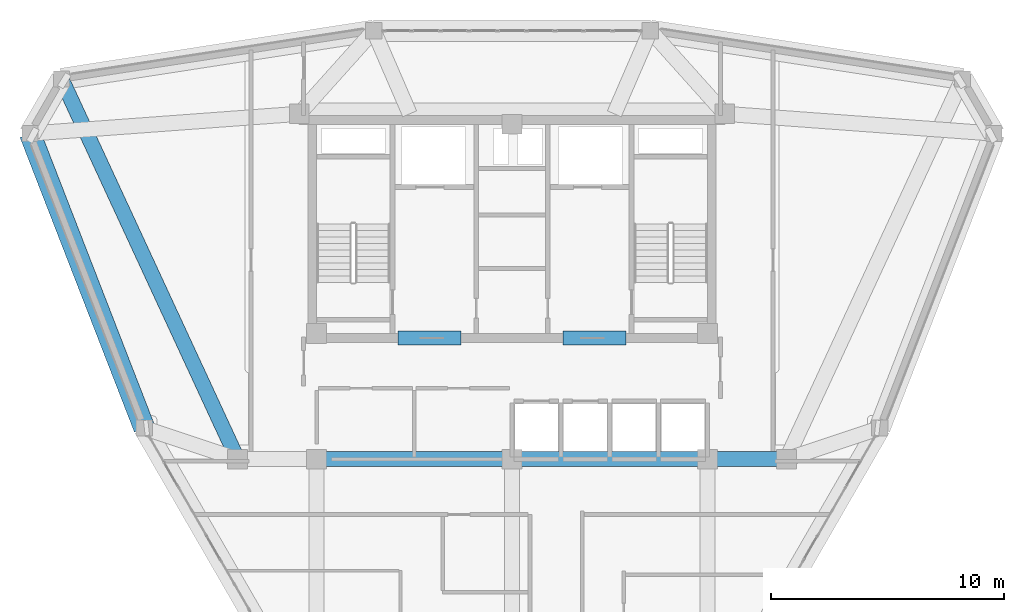
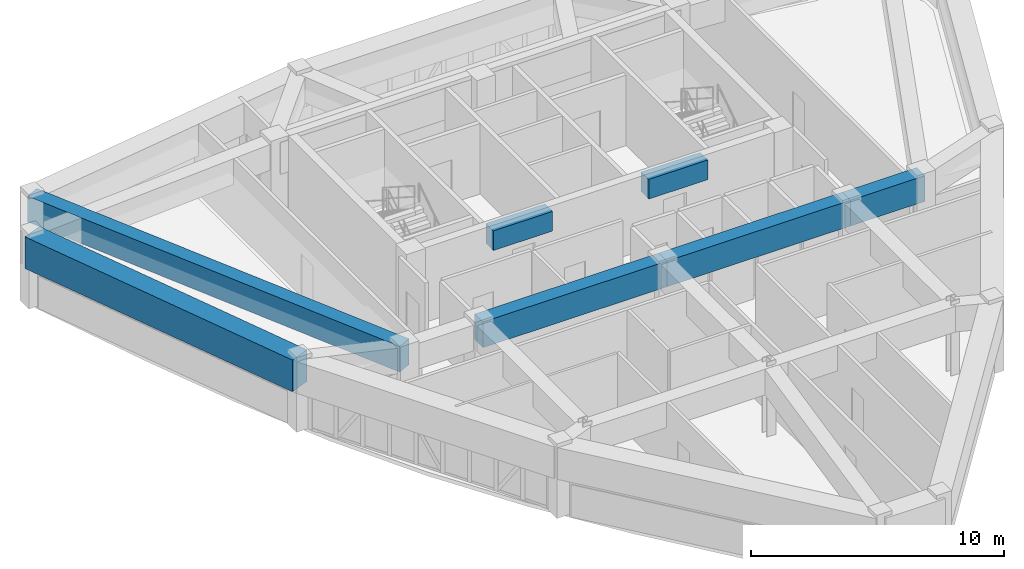
# One storey, part 6 of 16: 7 beams.
"""IFC4 building model written with IfcOpenShell, lengths in metres."""

import ifcopenshell
import ifcopenshell.guid

model = None  # the IFC model being written
_history = None  # IfcOwnerHistory: only IFC2X3 demands one
_inside = {}  # id of a spatial element -> (the spatial element, [elements in it])
_under = {}  # id of a project, library or spatial element -> (it, [spatial elements below it])
_declared = {}  # id of a project -> (the project, [libraries it declares])
_typed = {}  # id of a type object -> (the type object, [elements of that type])
_made_of = {}  # id of a material, layer set ... -> (it, [elements and type objects made of it])


def new_model(schema):
    """Start an empty IFC model of exactly this schema.

    Asked for "IFC4X3", IfcOpenShell would pick the latest addendum, in which some entities
    have other attributes; the version numbers below select the first issue.
    IFC2X3 requires an IfcOwnerHistory on every rooted entity: one is made here for all.
    """
    global model, _history
    if schema == "IFC4X3":
        model = ifcopenshell.file(schema_version=(4, 3, 0, 0))
    else:
        model = ifcopenshell.file(schema=schema)
    _inside.clear()
    _under.clear()
    _declared.clear()
    _typed.clear()
    _made_of.clear()
    _history = None
    if model.schema == "IFC2X3":
        org = make("IfcOrganization", Name="unknown")
        user = make(
            "IfcPersonAndOrganization",
            ThePerson=make("IfcPerson", FamilyName="unknown"),
            TheOrganization=org,
        )
        app = make(
            "IfcApplication",
            ApplicationDeveloper=org,
            Version="unknown",
            ApplicationFullName="unknown",
            ApplicationIdentifier="unknown",
        )
        _history = make(
            "IfcOwnerHistory",
            OwningUser=user,
            OwningApplication=app,
            ChangeAction="ADDED",
            CreationDate=0,
        )
    return model


def make(cls, **values):
    """One entity of the class cls with the attributes given. An attribute that is None is left unset."""
    return model.create_entity(
        cls, **{name: value for name, value in values.items() if value is not None}
    )


def rooted(cls, **values):
    """An entity with a GlobalId (a new one), such as an element, a storey or a relation."""
    return make(cls, GlobalId=ifcopenshell.guid.new(), OwnerHistory=_history, **values)


def si_unit(unit_type, name, prefix=None):
    """IfcSIUnit, for example si_unit("LENGTHUNIT", "METRE", prefix="MILLI")."""
    return make("IfcSIUnit", UnitType=unit_type, Prefix=prefix, Name=name)


def derived_unit(unit_type, elements):
    """IfcDerivedUnit: a product of units, each with its exponent."""
    return make(
        "IfcDerivedUnit",
        Elements=[
            make("IfcDerivedUnitElement", Unit=unit, Exponent=power)
            for unit, power in elements
        ],
        UnitType=unit_type,
    )


def assignment(units):
    """IfcUnitAssignment: the units of a project."""
    return None if units is None else make("IfcUnitAssignment", Units=units)


def point(xyz):
    """IfcCartesianPoint."""
    return None if xyz is None else make("IfcCartesianPoint", Coordinates=xyz)


def direction(xyz):
    """IfcDirection."""
    return None if xyz is None else make("IfcDirection", DirectionRatios=xyz)


def frame(location, z_axis=None, x_axis=None):
    """IfcAxis2Placement3D, a coordinate frame: its origin and axes. An axis left out is left unset."""
    return make(
        "IfcAxis2Placement3D",
        Location=point(location),
        Axis=direction(z_axis),
        RefDirection=direction(x_axis),
    )


def frame_2d(location, x_axis=None):
    """IfcAxis2Placement2D, a coordinate frame in the plane: its origin and x axis."""
    return make(
        "IfcAxis2Placement2D", Location=point(location), RefDirection=direction(x_axis)
    )


def origin():
    """The frame at (0, 0, 0) with its axes left unset."""
    return frame((0.0, 0.0, 0.0))


def origin_2d():
    """The frame at (0, 0) in the plane with its x axis left unset."""
    return frame_2d((0.0, 0.0))


def place(relative_to, where):
    """IfcLocalPlacement: puts the frame where relative to a parent placement (None: the world)."""
    return make(
        "IfcLocalPlacement", PlacementRelTo=relative_to, RelativePlacement=where
    )


def context(
    kind, dimensions, precision=None, world=None, true_north=None, identifier=None
):
    """IfcGeometricRepresentationContext, for example the 3D "Model" context."""
    return make(
        "IfcGeometricRepresentationContext",
        ContextIdentifier=identifier,
        ContextType=kind,
        CoordinateSpaceDimension=dimensions,
        Precision=precision,
        WorldCoordinateSystem=world,
        TrueNorth=true_north,
    )


def subcontext(parent, identifier, kind, view, scale=None):
    """IfcGeometricRepresentationSubContext, for example "Body" below "Model"."""
    return make(
        "IfcGeometricRepresentationSubContext",
        ContextIdentifier=identifier,
        ContextType=kind,
        ParentContext=parent,
        TargetScale=scale,
        TargetView=view,
    )


def project(units=None, contexts=None):
    """IfcProject with its units and contexts."""
    return rooted(
        "IfcProject",
        Name="project",
        RepresentationContexts=contexts,
        UnitsInContext=assignment(units),
    )


def spatial(cls, under=None, at=None, **own):
    """A site, building, storey or space (cls), placed at a placement, below another one or the project."""
    s = rooted(cls, ObjectPlacement=at, **own)
    if under is not None:
        _under.setdefault(under.id(), (under, []))[1].append(s)
    return s


def profile(cls, at=None, kind="AREA", **sizes):
    """A parametric profile (cls). Its sizes go by their IFC names, for example OverallWidth=200.0."""
    return make(cls, ProfileType=kind, Position=at, **sizes)


def rectangle(**sizes):
    """IfcRectangleProfileDef."""
    return profile("IfcRectangleProfileDef", **sizes)


def extrude(swept, where, along, depth):
    """IfcExtrudedAreaSolid: the profile swept, set in the frame where, extruded along a direction by depth."""
    return make(
        "IfcExtrudedAreaSolid",
        SweptArea=swept,
        Position=where,
        ExtrudedDirection=direction(along),
        Depth=depth,
    )


def shape(context_of_items, identifier, shape_type, items):
    """IfcShapeRepresentation: the items that make up one representation, for example the "Body"."""
    return make(
        "IfcShapeRepresentation",
        ContextOfItems=context_of_items,
        RepresentationIdentifier=identifier,
        RepresentationType=shape_type,
        Items=items,
    )


def source(mapping_origin, context_of_items, identifier, shape_type, items):
    """IfcRepresentationMap: a shape defined once, which mapped items show again and again."""
    return make(
        "IfcRepresentationMap",
        MappingOrigin=mapping_origin,
        MappedRepresentation=shape(context_of_items, identifier, shape_type, items),
    )


def transform(
    local_origin,
    x_axis=None,
    y_axis=None,
    z_axis=None,
    scale=None,
    scale2=None,
    scale3=None,
    uniform=True,
):
    """IfcCartesianTransformationOperator3D, or its non-uniform kind. x_axis, y_axis, z_axis: its Axis1, 2, 3."""
    if uniform:
        return make(
            "IfcCartesianTransformationOperator3D",
            Axis1=direction(x_axis),
            Axis2=direction(y_axis),
            LocalOrigin=point(local_origin),
            Scale=scale,
            Axis3=direction(z_axis),
        )
    return make(
        "IfcCartesianTransformationOperator3DnonUniform",
        Axis1=direction(x_axis),
        Axis2=direction(y_axis),
        LocalOrigin=point(local_origin),
        Scale=scale,
        Axis3=direction(z_axis),
        Scale2=scale2,
        Scale3=scale3,
    )


def mapped(mapping_source, mapping_target):
    """IfcMappedItem: shows the shape of a source again, moved by a transform."""
    return make(
        "IfcMappedItem", MappingSource=mapping_source, MappingTarget=mapping_target
    )


def material(Name=None, Category=None):
    """IfcMaterial."""
    return make("IfcMaterial", Name=Name, Category=Category)


def material_profile(
    of_material, cross_section, Name=None, Category=None, Priority=None
):
    """IfcMaterialProfile: a cross section and its material."""
    return make(
        "IfcMaterialProfile",
        Name=Name,
        Material=of_material,
        Profile=cross_section,
        Priority=Priority,
        Category=Category,
    )


def profile_set(profiles, Name=None, composite=None):
    """IfcMaterialProfileSet."""
    return make(
        "IfcMaterialProfileSet",
        Name=Name,
        MaterialProfiles=profiles,
        CompositeProfile=composite,
    )


def made_of(thing, what):
    """Note that an element or type object is made of a material, layer set ...; save() writes the relation."""
    if what is not None:
        _made_of.setdefault(what.id(), (what, []))[1].append(thing)
    return thing


def type_object(cls, material=None, **own):
    """A type object (cls), such as IfcWallType, which elements share."""
    return made_of(rooted(cls, **own), material)


def element(
    cls,
    number,
    at=None,
    inside=None,
    cuts=None,
    type_object=None,
    material=None,
    context=None,
    identifier="Body",
    shape_type=None,
    held_by="IfcProductDefinitionShape",
    body=None,
    shapes=None,
    **own,
):
    """One element of the class cls, such as IfcWall. Its Tag is "e" and its number.

    at: its placement. inside: the storey or other place that contains it. cuts: it is an
    opening in that element (IfcRelVoidsElement). A single representation is given by context,
    identifier, shape_type and body (its items); several are given by shapes. held_by: the class
    of the entity that holds the representations. save() writes the other relations.
    """
    e = rooted(cls, Tag="e%d" % number, ObjectPlacement=at, **own)
    if body is not None:
        shapes = [shape(context, identifier, shape_type, body)]
    if shapes is not None:
        e.Representation = make(held_by, Representations=shapes)
    if inside is not None:
        _inside.setdefault(inside.id(), (inside, []))[1].append(e)
    if cuts is not None:
        rooted(
            "IfcRelVoidsElement", RelatingBuildingElement=cuts, RelatedOpeningElement=e
        )
    if type_object is not None:
        _typed.setdefault(type_object.id(), (type_object, []))[1].append(e)
    return made_of(e, material)


def aggregate(whole, parts):
    """IfcRelAggregates: a whole, such as a stair, and the parts it consists of."""
    return rooted("IfcRelAggregates", RelatingObject=whole, RelatedObjects=parts)


def save(model, path):
    """Write the relations noted so far, then the file.

    IfcRelAggregates (storeys below a building ...), IfcRelContainedInSpatialStructure (elements
    in a storey), IfcRelDefinesByType, IfcRelAssociatesMaterial and IfcRelDeclares: one each for
    every whole, place, type object, material and project.
    """
    for whole, parts in _under.values():
        aggregate(whole, parts)
    for where, things in _inside.values():
        rooted(
            "IfcRelContainedInSpatialStructure",
            RelatedElements=things,
            RelatingStructure=where,
        )
    for kind, things in _typed.values():
        rooted("IfcRelDefinesByType", RelatedObjects=things, RelatingType=kind)
    for what, things in _made_of.values():
        rooted("IfcRelAssociatesMaterial", RelatedObjects=things, RelatingMaterial=what)
    for by, libraries in _declared.values():
        rooted("IfcRelDeclares", RelatingContext=by, RelatedDefinitions=libraries)
    model.write(path)


model = new_model("IFC4")

# Units and contexts
model_context = context("Model", 3, precision=1e-05, world=origin(), true_north=direction((0.0, 1.0)))
body_context = subcontext(model_context, "Body", "Model", "MODEL_VIEW")
ifc_project = project(units=[si_unit("LENGTHUNIT", "METRE"), si_unit("AREAUNIT", "SQUARE_METRE"), si_unit("VOLUMEUNIT", "CUBIC_METRE"), si_unit("PLANEANGLEUNIT", "RADIAN"), si_unit("MASSUNIT", "GRAM", prefix="KILO"), derived_unit("THERMALTRANSMITTANCEUNIT", [(si_unit("POWERUNIT", "WATT"), 1), (si_unit("LENGTHUNIT", "METRE"), -2), (si_unit("THERMODYNAMICTEMPERATUREUNIT", "KELVIN"), -1)])], contexts=[model_context])

# Site, building, storey
site_placement = place(None, origin())
site = spatial("IfcSite", under=ifc_project, at=site_placement, CompositionType="ELEMENT")
building_placement = place(site_placement, origin())
building = spatial("IfcBuilding", under=site, at=building_placement, Name="Korsvarv Bourse and Concert Hall", CompositionType="ELEMENT")
storey_placement = place(building_placement, frame((0.0, 0.0, 261.0)))
storey = spatial("IfcBuildingStorey", under=building, at=storey_placement, Name="L68", CompositionType="ELEMENT", Elevation=261.0)

# Beams
ifc_material_1 = material(Name="Concrete C55/67", Category="concrete")
ifc_material_profile_1 = material_profile(ifc_material_1, rectangle(XDim=0.60009765625, YDim=0.949951171875, at=origin_2d()), Name="RC-BM 600x950")
ifc_profile_set_1 = profile_set([ifc_material_profile_1], Name="Concrete C55/67")
beam_type_1 = type_object("IfcBeamType", Name="BM-CPL", PredefinedType="LINTEL", material=ifc_profile_set_1)
shared_shape_1 = source(origin(), body_context, "Body", "SweptSolid", [
    extrude(rectangle(XDim=0.60009765625, YDim=0.949951171875, at=origin_2d()), origin(), (0.0, 0.0, 1.0), 2.699951171875),
])
for number, where, z_axis, x_axis, name in (
    (1, (31.10009765625, 37.610107421875, 2.93505859375), (1.0, 0.0, 0.0), (0.0, 1.0, 0.0), "L68 Core Coupling Beam West"),
    (2, (38.199951171875, 37.610107421875, 2.93505859375), (1.0, 0.0, 0.0), (0.0, 1.0, 0.0), "L68 Core Coupling Beam East"),
):
    element("IfcBeam", number, at=place(storey_placement, frame(where, z_axis=z_axis, x_axis=x_axis)), inside=storey, type_object=beam_type_1, Name=name, PredefinedType="LINTEL", context=body_context, shape_type="MappedRepresentation", body=[
        mapped(shared_shape_1, transform((0.0, 0.0, 0.0), scale=1.0)),
    ])
ifc_material_2 = material(Name="Concrete C50/60", Category="concrete")
ifc_material_profile_2 = material_profile(ifc_material_2, rectangle(XDim=0.64990234375, YDim=1.239990234375, at=origin_2d()), Name="RC-BM 650x1240")
ifc_profile_set_2 = profile_set([ifc_material_profile_2], Name="Concrete C50/60")
beam_type_2 = type_object("IfcBeamType", Name="BM-TR-SPN", PredefinedType="BEAM", material=ifc_profile_set_2)
shared_shape_2 = source(origin(), body_context, "Body", "SweptSolid", [
    extrude(rectangle(XDim=0.64990234375, YDim=1.239990234375, at=origin_2d()), origin(), (0.0, 0.0, 1.0), 3.400146484375),
])
beam_1_placement = place(storey_placement, frame((44.39990234375, 32.39990234375, 2.7900390625), z_axis=(1.0, 0.0, 0.0), x_axis=(0.0, 1.0, 0.0)))
element("IfcBeam", 3, at=beam_1_placement, inside=storey, type_object=beam_type_2, Name="L68 beam B-TRS", PredefinedType="BEAM", context=body_context, shape_type="MappedRepresentation", body=[
    mapped(shared_shape_2, transform((0.0, 0.0, 0.0), scale=1.0)),
])
shared_shape_3 = source(origin(), body_context, "Body", "SweptSolid", [
    extrude(rectangle(XDim=0.64990234375, YDim=1.239990234375, at=origin_2d()), origin(), (0.0, 0.0, 1.0), 8.39990234375),
])
for number, where, z_axis, x_axis, name in (
    (4, (27.60009765625, 32.39990234375, 2.7900390625), (1.0, 0.0, 0.0), (0.0, 1.0, 0.0), "L68 beam B-TRS"),
    (5, (36.0, 32.39990234375, 2.7900390625), (1.0, 0.0, 0.0), (0.0, 1.0, 0.0), "L68 beam B-TRS"),
):
    element("IfcBeam", number, at=place(storey_placement, frame(where, z_axis=z_axis, x_axis=x_axis)), inside=storey, type_object=beam_type_2, Name=name, PredefinedType="BEAM", context=body_context, shape_type="MappedRepresentation", body=[
        mapped(shared_shape_3, transform((0.0, 0.0, 0.0), scale=1.0)),
    ])
ifc_material_profile_3 = material_profile(ifc_material_2, rectangle(XDim=0.919921875, YDim=1.530029296875, at=origin_2d()), Name="RC-BM 920x1530")
ifc_profile_set_3 = profile_set([ifc_material_profile_3], Name="Concrete C50/60")
beam_type_3 = type_object("IfcBeamType", Name="BM-TR-154", PredefinedType="BEAM", material=ifc_profile_set_3)
shared_shape_4 = source(origin(), body_context, "Body", "SweptSolid", [
    extrude(rectangle(XDim=0.919921875, YDim=1.530029296875, at=origin_2d()), origin(), (0.0, 0.0, 1.0), 13.58203125),
])
beam_2_placement = place(storey_placement, frame((15.27490234375, 46.399169921875, 2.64501953125), z_axis=(0.361897107662, -0.932218045023, 0.0), x_axis=(0.932218045023, 0.361897107662, 0.0)))
element("IfcBeam", 6, at=beam_2_placement, inside=storey, type_object=beam_type_3, Name="L68 beam B-TR6", PredefinedType="BEAM", context=body_context, shape_type="MappedRepresentation", body=[
    mapped(shared_shape_4, transform((0.0, 0.0, 0.0), scale=1.0)),
])
shared_shape_5 = source(origin(), body_context, "Body", "SweptSolid", [
    extrude(rectangle(XDim=0.64990234375, YDim=1.239990234375, at=origin_2d()), origin(), (0.0, 0.0, 1.0), 18.015869140625),
])
beam_3_placement = place(storey_placement, frame((16.631591796875, 48.7490234375, 2.7900390625), z_axis=(0.420092569243, -0.907481257805, 0.0), x_axis=(0.907481257805, 0.420092569243, 0.0)))
element("IfcBeam", 7, at=beam_3_placement, inside=storey, type_object=beam_type_2, Name="L68 beam B-TRS", PredefinedType="BEAM", context=body_context, shape_type="MappedRepresentation", body=[
    mapped(shared_shape_5, transform((0.0, 0.0, 0.0), scale=1.0)),
])

save(model, "model.ifc")
